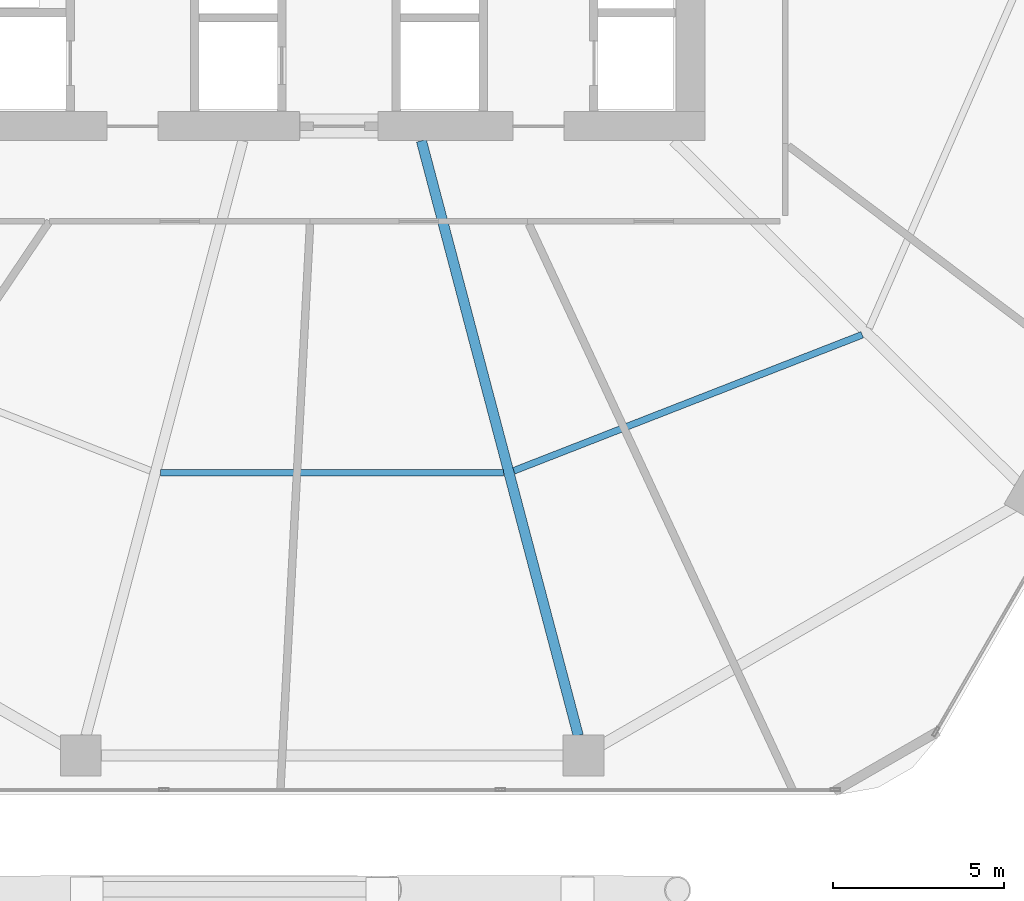
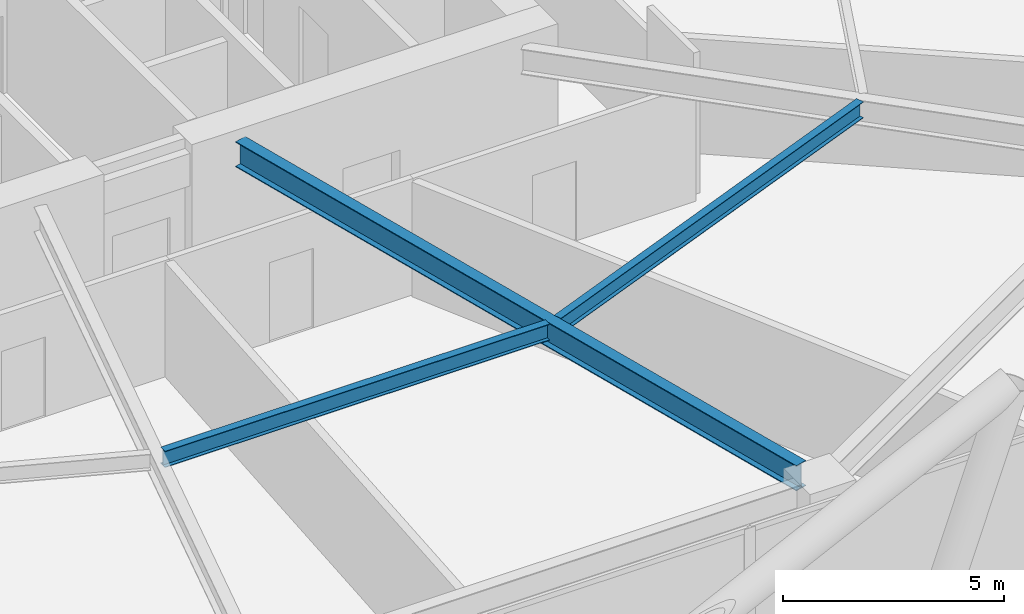
# One storey, part 8 of 28: 3 beams.
"""IFC4 building model written with IfcOpenShell, lengths in metres."""

from ifc_helpers import new_model, si_unit, direction, frame, origin, origin_2d, place, context, subcontext, project, spatial, i_section, extrude, material, material_profile, profile_set, type_object, element, save


model = new_model("IFC4")

# Units and contexts
model_context = context("Model", 3, precision=1e-05, world=origin(), true_north=direction((0.0, 1.0)))
body_context = subcontext(model_context, "Body", "Model", "MODEL_VIEW")
ifc_project = project(units=[si_unit("LENGTHUNIT", "METRE"), si_unit("AREAUNIT", "SQUARE_METRE"), si_unit("VOLUMEUNIT", "CUBIC_METRE"), si_unit("PLANEANGLEUNIT", "RADIAN"), si_unit("MASSUNIT", "GRAM", prefix="KILO")], contexts=[model_context])

# Site, building, storey
site_placement = place(None, origin())
site = spatial("IfcSite", under=ifc_project, at=site_placement, CompositionType="ELEMENT")
building_placement = place(site_placement, origin())
building = spatial("IfcBuilding", under=site, at=building_placement, Name="Zuhravey Tower", CompositionType="ELEMENT")
storey_placement = place(building_placement, frame((0.0, 0.0, 49.800048828125)))
storey = spatial("IfcBuildingStorey", under=building, at=storey_placement, Name="L12", CompositionType="ELEMENT", Elevation=49.800048828125)

# Beams
ifc_material = material(Name="Steel SM355", Category="steel")
ifc_material_profile_1 = material_profile(ifc_material, i_section(OverallWidth=0.300048828125, OverallDepth=0.699951171875, WebThickness=0.012939453125, FlangeThickness=0.02392578125, at=origin_2d()), Name="H-700x300x13x24")
ifc_profile_set_1 = profile_set([ifc_material_profile_1], Name="Steel SM355")
beam_type_1 = type_object("IfcBeamType", Name="Radial Primary Girder H700x300", PredefinedType="BEAM", material=ifc_profile_set_1)
beam_1_placement = place(storey_placement, frame((38.617919921875, 22.072021484375, 3.570068359375), z_axis=(0.254989720435, -0.966943763862, 0.0), x_axis=(0.966943763862, 0.254989720435, 0.0)))
element("IfcBeam", 1, at=beam_1_placement, inside=storey, type_object=beam_type_1, Name="L12 RG1 BM-L12-RAD-10", PredefinedType="BEAM", context=body_context, shape_type="SweptSolid", body=[
    extrude(i_section(OverallWidth=0.300048828125, OverallDepth=0.699951171875, WebThickness=0.012939453125, FlangeThickness=0.02392578125, at=origin_2d()), origin(), (0.0, 0.0, 1.0), 18.03369140625),
])
ifc_material_profile_2 = material_profile(ifc_material, i_section(OverallWidth=0.199951171875, OverallDepth=0.449951171875, WebThickness=0.009033203125, FlangeThickness=0.013916015625, at=origin_2d()), Name="H-450x200x9x14")
ifc_profile_set_2 = profile_set([ifc_material_profile_2], Name="Steel SM355")
beam_type_2 = type_object("IfcBeamType", Name="Secondary Floor Joist H450x200", PredefinedType="JOIST", material=ifc_profile_set_2)
beam_2_placement = place(storey_placement, frame((30.969970703125, 12.3408203125, 3.695068359375), z_axis=(1.0, 0.0, 0.0), x_axis=(0.0, 1.0, 0.0)))
element("IfcBeam", 2, at=beam_2_placement, inside=storey, type_object=beam_type_2, Name="L12 SJ1 BM-L12-SJ-09-1", PredefinedType="JOIST", context=body_context, shape_type="SweptSolid", body=[
    extrude(i_section(OverallWidth=0.199951171875, OverallDepth=0.449951171875, WebThickness=0.009033203125, FlangeThickness=0.013916015625, at=origin_2d()), origin(), (0.0, 0.0, 1.0), 10.06005859375),
])
beam_3_placement = place(storey_placement, frame((41.32763671875, 12.39697265625, 3.695068359375), z_axis=(0.931516535886, 0.363698973562, 0.0), x_axis=(-0.363698973562, 0.931516535886, 0.0)))
element("IfcBeam", 3, at=beam_3_placement, inside=storey, type_object=beam_type_2, Name="L12 SJ1 BM-L12-SJ-10-1", PredefinedType="JOIST", context=body_context, shape_type="SweptSolid", body=[
    extrude(i_section(OverallWidth=0.199951171875, OverallDepth=0.449951171875, WebThickness=0.009033203125, FlangeThickness=0.013916015625, at=origin_2d()), origin(), (0.0, 0.0, 1.0), 10.963134765625),
])

save(model, "model.ifc")
